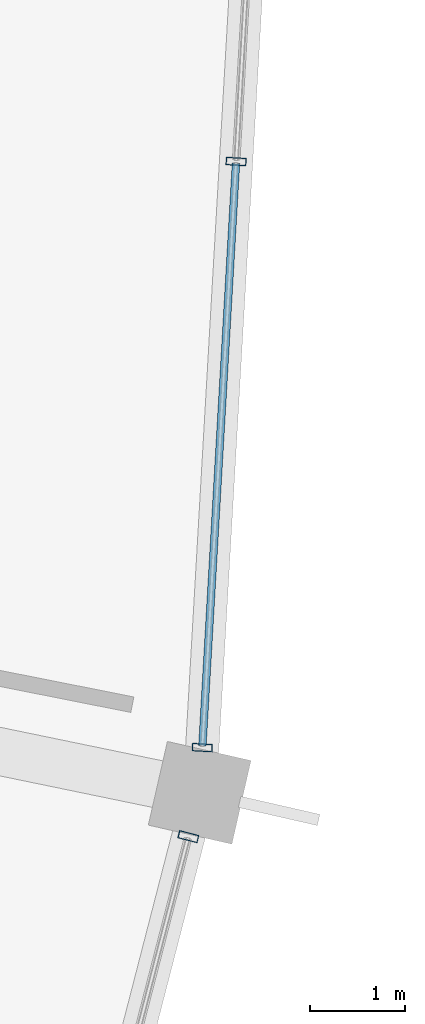
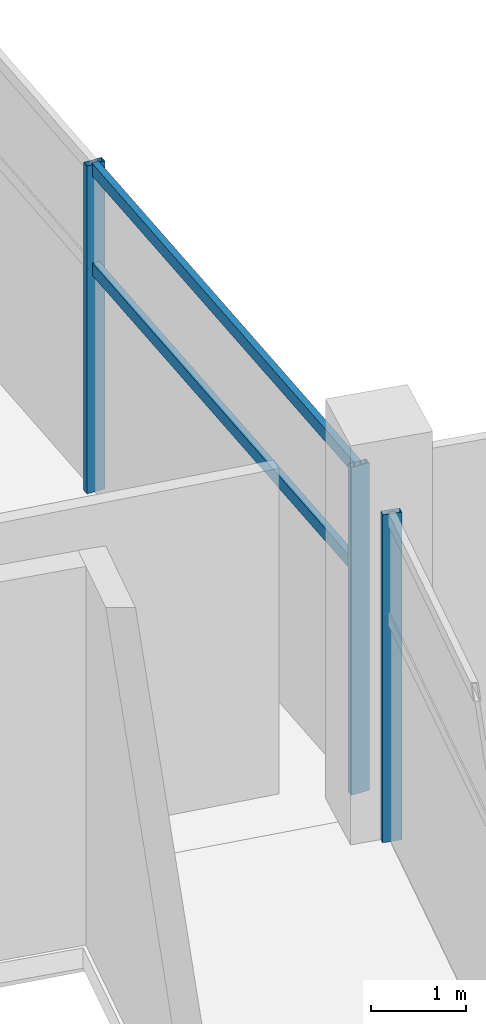
# One storey, part 86 of 184: 5 members, 2 elements without a shape of their own.
"""IFC4 building model written with IfcOpenShell, lengths in metres."""

from ifc_helpers import new_model, si_unit, direction, frame, origin, origin_2d, place, context, subcontext, project, spatial, hollow_rectangle, extrude, material, layer, layer_set, material_profile, profile_set, type_object, element, aggregate, save


model = new_model("IFC4")

# Units and contexts
model_context = context("Model", 3, precision=1e-05, world=origin(), true_north=direction((0.0, 1.0)))
body_context = subcontext(model_context, "Body", "Model", "MODEL_VIEW")
ifc_project = project(units=[si_unit("LENGTHUNIT", "METRE"), si_unit("AREAUNIT", "SQUARE_METRE"), si_unit("VOLUMEUNIT", "CUBIC_METRE"), si_unit("PLANEANGLEUNIT", "RADIAN"), si_unit("MASSUNIT", "GRAM", prefix="KILO")], contexts=[model_context])

# Site, building, storey
site_placement = place(None, origin())
site = spatial("IfcSite", under=ifc_project, at=site_placement, CompositionType="ELEMENT")
building_placement = place(site_placement, origin())
building = spatial("IfcBuilding", under=site, at=building_placement, Name="Kazemori Nagisa Stadium", CompositionType="ELEMENT")
storey_placement = place(building_placement, frame((0.0, 0.0, 10.5400390625)))
storey = spatial("IfcBuildingStorey", under=building, at=storey_placement, Name="L02", CompositionType="ELEMENT", Elevation=10.5400390625)

# Curtain wall, member
ifc_material_1 = material(Name="Anodised aluminium 6063-T5", Category="aluminium")
ifc_layer_1 = layer(ifc_material_1, 0.2099609375, Name="Anodised aluminium 6063-T5", Category="aluminium")
ifc_layer_set_1 = layer_set([ifc_layer_1], Name="Anodised aluminium 6063-T5")
curtain_wall_type_1 = type_object("IfcCurtainWallType", Name="CW_L02R3_96", PredefinedType="USERDEFINED", material=ifc_layer_set_1)
curtain_wall_1_placement = place(storey_placement, origin())
curtain_wall_1 = element("IfcCurtainWall", 1, at=curtain_wall_1_placement, inside=storey, type_object=curtain_wall_type_1, Name="Unitised curtain wall CW-L02R3-96 L02", ObjectType="UNITISED CURTAIN WALL", PredefinedType="USERDEFINED")
ifc_material_2 = material(Name="Aluminium 6063-T5 anodised", Category="aluminium")
ifc_material_profile_1 = material_profile(ifc_material_2, hollow_rectangle(XDim=0.080078125, YDim=0.2099609375, WallThickness=0.0048828125, at=origin_2d()), Name="ALU-MULL-80x210x5")
ifc_profile_set_1 = profile_set([ifc_material_profile_1], Name="Aluminium 6063-T5 anodised")
member_type_1 = type_object("IfcMemberType", Name="Mullion_M02", PredefinedType="MULLION", material=ifc_profile_set_1)
member_1_placement = place(storey_placement, frame((216.761962890625, 82.142333984375, 0.0), z_axis=(0.0, 0.0, 1.0), x_axis=(0.249964642418, 0.968254965152, 0.0)))
member_1 = element("IfcMember", 2, at=member_1_placement, type_object=member_type_1, Name="Curtain wall mullion CW-L02R3-96-M4", PredefinedType="MULLION", context=body_context, shape_type="SweptSolid", body=[
    extrude(hollow_rectangle(XDim=0.080078125, YDim=0.2099609375, WallThickness=0.0048828125, at=origin_2d()), origin(), (0.0, 0.0, 1.0), 4.18994140625),
])
aggregate(curtain_wall_1, [member_1])

# Curtain wall, members
ifc_layer_2 = layer(ifc_material_1, 0.2099609375, Name="Anodised aluminium 6063-T5", Category="aluminium")
ifc_layer_set_2 = layer_set([ifc_layer_2], Name="Anodised aluminium 6063-T5")
curtain_wall_type_2 = type_object("IfcCurtainWallType", Name="CW_L02R3_93", PredefinedType="USERDEFINED", material=ifc_layer_set_2)
curtain_wall_2_placement = place(storey_placement, origin())
curtain_wall_2 = element("IfcCurtainWall", 3, at=curtain_wall_2_placement, inside=storey, type_object=curtain_wall_type_2, Name="Unitised curtain wall CW-L02R3-93 L02", ObjectType="UNITISED CURTAIN WALL", PredefinedType="USERDEFINED")
member_2_placement = place(storey_placement, frame((216.908203125, 83.076416015625, 0.0), z_axis=(0.0, 0.0, 1.0), x_axis=(0.057601670941, 0.998339645364, 0.0)))
member_2 = element("IfcMember", 4, at=member_2_placement, type_object=member_type_1, Name="Curtain wall mullion CW-L02R3-93-M1", PredefinedType="MULLION", context=body_context, shape_type="SweptSolid", body=[
    extrude(hollow_rectangle(XDim=0.080078125, YDim=0.2099609375, WallThickness=0.0048828125, at=origin_2d()), origin(), (0.0, 0.0, 1.0), 4.18994140625),
])
member_3_placement = place(storey_placement, frame((217.262939453125, 89.226318359375, 0.0), z_axis=(0.0, 0.0, 1.0), x_axis=(0.057601670941, 0.998339645364, 0.0)))
member_3 = element("IfcMember", 5, at=member_3_placement, type_object=member_type_1, Name="Curtain wall mullion CW-L02R3-93-M2", PredefinedType="MULLION", context=body_context, shape_type="SweptSolid", body=[
    extrude(hollow_rectangle(XDim=0.080078125, YDim=0.2099609375, WallThickness=0.0048828125, at=origin_2d()), origin(), (0.0, 0.0, 1.0), 4.18994140625),
])
ifc_material_profile_2 = material_profile(ifc_material_2, hollow_rectangle(XDim=0.080078125, YDim=0.159912109375, WallThickness=0.00390625, at=origin_2d()), Name="ALU-TRAN-80x160x4")
ifc_profile_set_2 = profile_set([ifc_material_profile_2], Name="Aluminium 6063-T5 anodised")
member_type_2 = type_object("IfcMemberType", Name="Transom_T02", PredefinedType="USERDEFINED", material=ifc_profile_set_2)
member_4_placement = place(storey_placement, frame((216.909423828125, 83.096435546875, 2.84912109375), z_axis=(0.057564421344, 0.998341793874, 0.0), x_axis=(-0.998341793874, 0.057564421344, 0.0)))
member_4 = element("IfcMember", 6, at=member_4_placement, type_object=member_type_2, Name="Curtain wall transom CW-L02R3-93-T1-mid", ObjectType="TRANSOM", PredefinedType="USERDEFINED", context=body_context, shape_type="SweptSolid", body=[
    extrude(hollow_rectangle(XDim=0.080078125, YDim=0.159912109375, WallThickness=0.00390625, at=origin_2d()), origin(), (0.0, 0.0, 1.0), 6.1201171875),
])
member_5_placement = place(storey_placement, frame((216.909423828125, 83.096435546875, 4.119873046875), z_axis=(0.057564421344, 0.998341793874, 0.0), x_axis=(-0.998341793874, 0.057564421344, 0.0)))
member_5 = element("IfcMember", 7, at=member_5_placement, type_object=member_type_2, Name="Curtain wall transom CW-L02R3-93-T1-head", ObjectType="TRANSOM", PredefinedType="USERDEFINED", context=body_context, shape_type="SweptSolid", body=[
    extrude(hollow_rectangle(XDim=0.080078125, YDim=0.159912109375, WallThickness=0.00390625, at=origin_2d()), origin(), (0.0, 0.0, 1.0), 6.1201171875),
])
aggregate(curtain_wall_2, [member_2, member_3, member_4, member_5])

save(model, "model.ifc")
